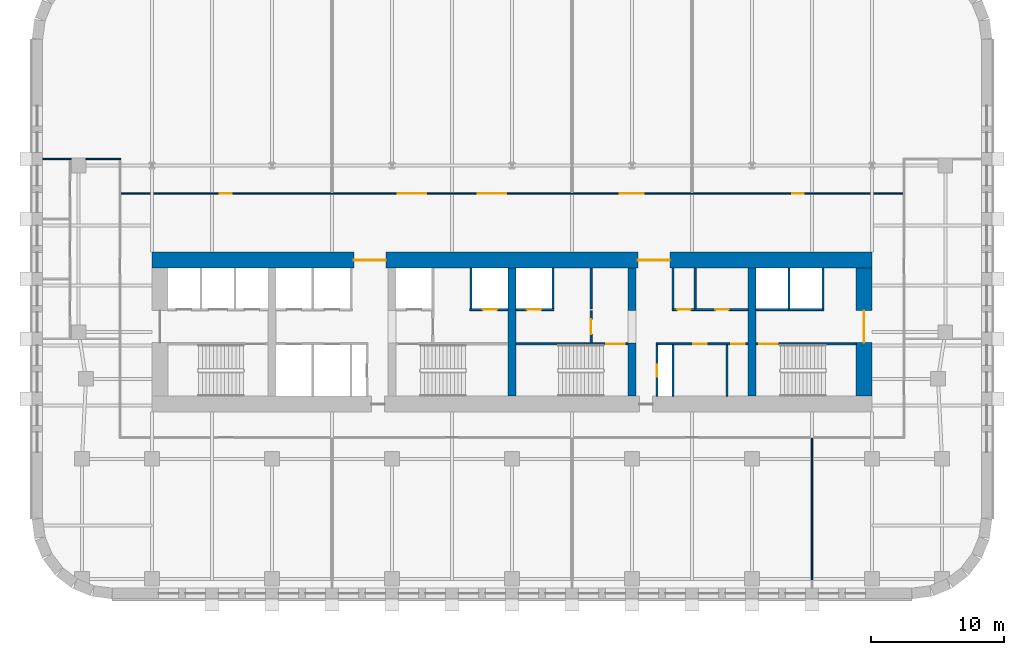
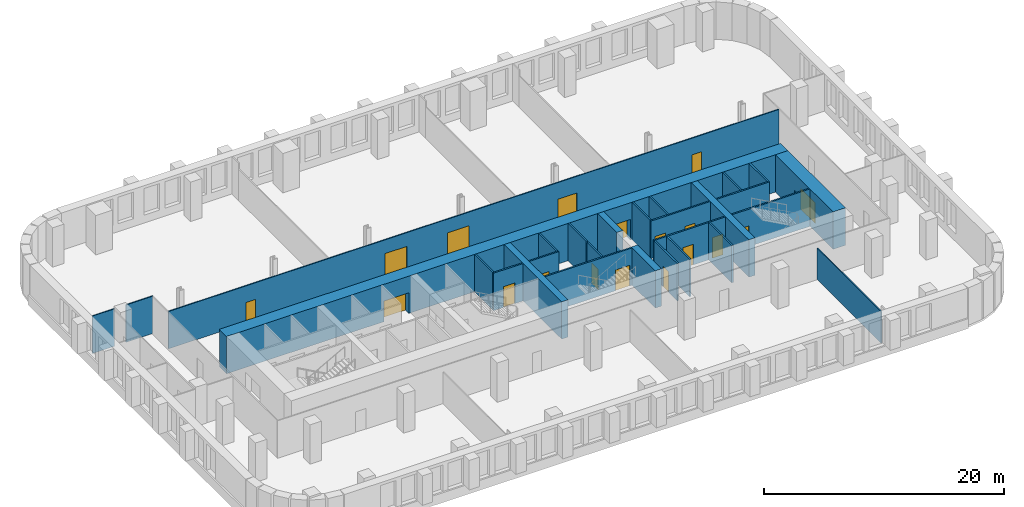
# One storey, part 6 of 11: 28 walls, 18 doors, 18 openings.
"""IFC4 building model written with IfcOpenShell, lengths in metres."""

from ifc_helpers import new_model, si_unit, direction, frame, frame_2d, origin, place, context, subcontext, project, spatial, rectangle, extrude, material, layer, layer_set, type_object, element, fill, save


model = new_model("IFC4")

# Units and contexts
model_context = context("Model", 3, precision=1e-05, world=origin(), true_north=direction((0.0, 1.0)))
body_context = subcontext(model_context, "Body", "Model", "MODEL_VIEW")
ifc_project = project(units=[si_unit("LENGTHUNIT", "METRE"), si_unit("AREAUNIT", "SQUARE_METRE"), si_unit("VOLUMEUNIT", "CUBIC_METRE"), si_unit("PLANEANGLEUNIT", "RADIAN"), si_unit("MASSUNIT", "GRAM", prefix="KILO")], contexts=[model_context])

# Site, building, storey
site_placement = place(None, origin())
site = spatial("IfcSite", under=ifc_project, at=site_placement, CompositionType="ELEMENT")
building_placement = place(site_placement, origin())
building = spatial("IfcBuilding", under=site, at=building_placement, Name="Zellij Exchange Tower", CompositionType="ELEMENT")
storey_placement = place(building_placement, frame((0.0, 0.0, 72.5)))
storey = spatial("IfcBuildingStorey", under=building, at=storey_placement, Name="L14", CompositionType="ELEMENT", Elevation=72.5)

# Walls
ifc_material_1 = material(Name="Concrete C70/85", Category="concrete")
ifc_layer_1 = layer(ifc_material_1, 0.60009765625)
ifc_layer_set_1 = layer_set([ifc_layer_1], Name="Concrete C70/85")
wall_type_1 = type_object("IfcWallType", Name="CORE-CW 600 C70/85", PredefinedType="SHEAR", material=ifc_layer_set_1)
wall_1_placement = place(storey_placement, frame((0.0, -12.800048828125, 0.0), z_axis=(0.0, 0.0, 1.0), x_axis=(0.0, 1.0, 0.0)))
element("IfcWall", 1, at=wall_1_placement, inside=storey, type_object=wall_type_1, Name="Core cross wall x 0 L14", PredefinedType="SHEAR", context=body_context, shape_type="SweptSolid", body=[
    extrude(rectangle(XDim=9.60009765625, YDim=0.60009765625, at=frame_2d((4.800048828125, 0.0))), origin(), (0.0, 0.0, 1.0), 3.800048828125),
])
wall_2_placement = place(storey_placement, frame((9.0, -12.800048828125, 0.0), z_axis=(0.0, 0.0, 1.0), x_axis=(0.0, 1.0, 0.0)))
element("IfcWall", 2, at=wall_2_placement, inside=storey, type_object=wall_type_1, Name="Core cross wall pier x 9 a L14", PredefinedType="SHEAR", context=body_context, shape_type="SweptSolid", body=[
    extrude(rectangle(XDim=4.0, YDim=0.60009765625, at=frame_2d((2.0, 0.0))), origin(), (0.0, 0.0, 1.0), 3.800048828125),
])
wall_3_placement = place(storey_placement, frame((9.0, -6.375, 0.0), z_axis=(0.0, 0.0, 1.0), x_axis=(0.0, 1.0, 0.0)))
element("IfcWall", 3, at=wall_3_placement, inside=storey, type_object=wall_type_1, Name="Core cross wall pier x 9 b L14", PredefinedType="SHEAR", context=body_context, shape_type="SweptSolid", body=[
    extrude(rectangle(XDim=3.175048828125, YDim=0.60009765625, at=frame_2d((1.58740234375, 0.0))), origin(), (0.0, 0.0, 1.0), 3.800048828125),
])
wall_4_placement = place(storey_placement, frame((18.0, -12.800048828125, 0.0), z_axis=(0.0, 0.0, 1.0), x_axis=(0.0, 1.0, 0.0)))
element("IfcWall", 4, at=wall_4_placement, inside=storey, type_object=wall_type_1, Name="Core cross wall x 18 L14", PredefinedType="SHEAR", context=body_context, shape_type="SweptSolid", body=[
    extrude(rectangle(XDim=9.60009765625, YDim=0.60009765625, at=frame_2d((4.800048828125, 0.0))), origin(), (0.0, 0.0, 1.0), 3.800048828125),
])

# Wall, opening, door
ifc_material_2 = material(Name="Gypsum shaft wall system")
ifc_layer_2 = layer(ifc_material_2, 0.14990234375)
ifc_layer_set_2 = layer_set([ifc_layer_2], Name="Gypsum shaft wall system")
wall_type_2 = type_object("IfcWallType", Name="CORE-PW 150 Firefighting lobby wall", PredefinedType="PARTITIONING", material=ifc_layer_set_2)
wall_5_placement = place(storey_placement, frame((5.925048828125, -8.800048828125, 0.0), z_axis=(0.0, 0.0, 1.0), x_axis=(0.0, 1.0, 0.0)))
wall_5 = element("IfcWall", 5, at=wall_5_placement, inside=storey, type_object=wall_type_2, Name="Firefighting lobby wall L14", PredefinedType="PARTITIONING", context=body_context, shape_type="SweptSolid", body=[
    extrude(rectangle(XDim=2.425048828125, YDim=0.14990234375, at=frame_2d((1.21240234375, 0.0))), origin(), (0.0, 0.0, 1.0), 3.800048828125),
])
opening_1_placement = place(wall_5_placement, frame((0.662109375, 0.0, 0.0)))
opening_1 = element("IfcOpeningElement", 6, at=opening_1_placement, cuts=wall_5, Name="Opening CA-08.18", PredefinedType="OPENING", context=body_context, shape_type="SweptSolid", body=[
    extrude(rectangle(XDim=1.10009765625, YDim=2.10009765625, at=frame_2d((0.550048828125, 1.050048828125))), frame((0.0, 0.0869140625, 0.0), z_axis=(0.0, -1.0, 0.0), x_axis=(1.0, 0.0, 0.0)), (0.0, 0.0, 1.0), 0.173828125),
])
ifc_material_3 = material(Name="Hollow metal fire door")
door_type_1 = type_object("IfcDoorType", Name="CORE-D F Firefighting lobby door 1100x2100 1 HR", OperationType="NOTDEFINED", PredefinedType="DOOR", material=ifc_material_3)
door_1_placement = place(opening_1_placement, origin())
door_1 = element("IfcDoor", 7, at=door_1_placement, inside=storey, type_object=door_type_1, Name="Firefighting lobby door CA-08.18", OperationType="SINGLE_SWING_RIGHT", OverallHeight=2.10009765625, OverallWidth=1.10009765625, PredefinedType="DOOR", context=body_context, shape_type="SweptSolid", body=[
    extrude(rectangle(XDim=1.10009765625, YDim=2.10009765625, at=frame_2d((0.550048828125, 1.050048828125))), frame((0.0, 0.02490234375, 0.0), z_axis=(0.0, -1.0, 0.0), x_axis=(1.0, 0.0, 0.0)), (0.0, 0.0, 1.0), 0.050048828125),
])
fill(opening_1, door_1)

# Walls
ifc_material_4 = material(Name="Gypsum board partition")
ifc_layer_3 = layer(ifc_material_4, 0.14990234375)
ifc_layer_set_3 = layer_set([ifc_layer_3], Name="Gypsum board partition")
wall_type_3 = type_object("IfcWallType", Name="CORE-PW 150 Lift lobby wall", PredefinedType="PARTITIONING", material=ifc_layer_set_3)
for number, where, z_axis, x_axis, name in (
    (8, (5.925048828125, -6.22509765625, 0.0), (0.0, 0.0, 1.0), (0.0, 1.0, 0.0), "Lift lobby wall L14"),
    (9, (12.074951171875, -6.22509765625, 0.0), (0.0, 0.0, 1.0), (0.0, 1.0, 0.0), "Lift lobby wall L14"),
    (10, (13.72509765625, -6.22509765625, 0.0), (0.0, 0.0, 1.0), (0.0, 1.0, 0.0), "Lift lobby wall L14"),
):
    element("IfcWall", number, at=place(storey_placement, frame(where, z_axis=z_axis, x_axis=x_axis)), inside=storey, type_object=wall_type_3, Name=name, PredefinedType="PARTITIONING", context=body_context, shape_type="SweptSolid", body=[
        extrude(rectangle(XDim=3.025146484375, YDim=0.14990234375, at=frame_2d((1.5126953125, 0.0))), origin(), (0.0, 0.0, 1.0), 3.800048828125),
    ])

# Wall, opening, door
wall_6_placement = place(storey_placement, frame((10.875, -12.800048828125, 0.0), z_axis=(0.0, 0.0, 1.0), x_axis=(0.0, 1.0, 0.0)))
wall_6 = element("IfcWall", 11, at=wall_6_placement, inside=storey, type_object=wall_type_3, Name="Lift lobby wall L14", PredefinedType="PARTITIONING", context=body_context, shape_type="SweptSolid", body=[
    extrude(rectangle(XDim=3.85009765625, YDim=0.14990234375, at=frame_2d((1.925048828125, 0.0))), origin(), (0.0, 0.0, 1.0), 3.800048828125),
])
opening_2_placement = place(wall_6_placement, frame((1.47509765625, 0.0, 0.0)))
opening_2 = element("IfcOpeningElement", 12, at=opening_2_placement, cuts=wall_6, Name="Opening CA-08.22", PredefinedType="OPENING", context=body_context, shape_type="SweptSolid", body=[
    extrude(rectangle(XDim=0.89990234375, YDim=2.10009765625, at=frame_2d((0.449951171875, 1.050048828125))), frame((0.0, 0.0869140625, 0.0), z_axis=(0.0, -1.0, 0.0), x_axis=(1.0, 0.0, 0.0)), (0.0, 0.0, 1.0), 0.173828125),
])
door_type_2 = type_object("IfcDoorType", Name="CORE-D RD Riser door 900x2100 1.5 HR", OperationType="NOTDEFINED", PredefinedType="DOOR", material=ifc_material_3)
door_2_placement = place(opening_2_placement, origin())
door_2 = element("IfcDoor", 13, at=door_2_placement, inside=storey, type_object=door_type_2, Name="Riser door CA-08.22", OperationType="SINGLE_SWING_LEFT", OverallHeight=2.10009765625, OverallWidth=0.89990234375, PredefinedType="DOOR", context=body_context, shape_type="SweptSolid", body=[
    extrude(rectangle(XDim=0.89990234375, YDim=2.10009765625, at=frame_2d((0.449951171875, 1.050048828125))), frame((0.0, 0.02490234375, 0.0), z_axis=(0.0, -1.0, 0.0), x_axis=(1.0, 0.0, 0.0)), (0.0, 0.0, 1.0), 0.050048828125),
])
fill(opening_2, door_2)

# Walls
for number, where, z_axis, x_axis, name in (
    (14, (12.074951171875, -12.800048828125, 0.0), (0.0, 0.0, 1.0), (0.0, 1.0, 0.0), "Lift lobby wall L14"),
    (15, (16.125, -12.800048828125, 0.0), (0.0, 0.0, 1.0), (0.0, 1.0, 0.0), "Lift lobby wall L14"),
):
    element("IfcWall", number, at=place(storey_placement, frame(where, z_axis=z_axis, x_axis=x_axis)), inside=storey, type_object=wall_type_3, Name=name, PredefinedType="PARTITIONING", context=body_context, shape_type="SweptSolid", body=[
        extrude(rectangle(XDim=3.85009765625, YDim=0.14990234375, at=frame_2d((1.925048828125, 0.0))), origin(), (0.0, 0.0, 1.0), 3.800048828125),
    ])

# Wall, openings, doors
wall_7_placement = place(storey_placement, frame((12.0, -6.300048828125, 0.0), z_axis=(0.0, 0.0, 1.0), x_axis=(1.0, 0.0, 0.0)))
wall_7 = element("IfcWall", 16, at=wall_7_placement, inside=storey, type_object=wall_type_3, Name="Lift lobby wall L14", PredefinedType="PARTITIONING", context=body_context, shape_type="SweptSolid", body=[
    extrude(rectangle(XDim=5.699951171875, YDim=0.14990234375, at=frame_2d((2.85009765625, 0.0))), origin(), (0.0, 0.0, 1.0), 3.800048828125),
])
opening_3_placement = place(wall_7_placement, frame((0.39990234375, 0.0, 0.0)))
opening_3 = element("IfcOpeningElement", 17, at=opening_3_placement, cuts=wall_7, Name="Opening CA-08.23", PredefinedType="OPENING", context=body_context, shape_type="SweptSolid", body=[
    extrude(rectangle(XDim=1.0, YDim=2.10009765625, at=frame_2d((0.5, 1.050048828125))), frame((0.0, 0.0869140625, 0.0), z_axis=(0.0, -1.0, 0.0), x_axis=(1.0, 0.0, 0.0)), (0.0, 0.0, 1.0), 0.173828125),
])
opening_4_placement = place(wall_7_placement, frame((3.25, 0.0, 0.0)))
opening_4 = element("IfcOpeningElement", 18, at=opening_4_placement, cuts=wall_7, Name="Opening CA-08.25", PredefinedType="OPENING", context=body_context, shape_type="SweptSolid", body=[
    extrude(rectangle(XDim=1.0, YDim=2.10009765625, at=frame_2d((0.5, 1.050048828125))), frame((0.0, 0.0869140625, 0.0), z_axis=(0.0, -1.0, 0.0), x_axis=(1.0, 0.0, 0.0)), (0.0, 0.0, 1.0), 0.173828125),
])
door_type_3 = type_object("IfcDoorType", Name="CORE-D CD Core room door 1000x2100 1 HR", OperationType="NOTDEFINED", PredefinedType="DOOR", material=ifc_material_3)
door_3_placement = place(opening_3_placement, origin())
door_3 = element("IfcDoor", 19, at=door_3_placement, inside=storey, type_object=door_type_3, Name="Core room door CA-08.23", OperationType="SINGLE_SWING_LEFT", OverallHeight=2.10009765625, OverallWidth=1.0, PredefinedType="DOOR", context=body_context, shape_type="SweptSolid", body=[
    extrude(rectangle(XDim=1.0, YDim=2.10009765625, at=frame_2d((0.5, 1.050048828125))), frame((0.0, 0.02490234375, 0.0), z_axis=(0.0, -1.0, 0.0), x_axis=(1.0, 0.0, 0.0)), (0.0, 0.0, 1.0), 0.050048828125),
])
fill(opening_3, door_3)
door_4_placement = place(opening_4_placement, origin())
door_4 = element("IfcDoor", 20, at=door_4_placement, inside=storey, type_object=door_type_3, Name="Core room door CA-08.25", OperationType="SINGLE_SWING_RIGHT", OverallHeight=2.10009765625, OverallWidth=1.0, PredefinedType="DOOR", context=body_context, shape_type="SweptSolid", body=[
    extrude(rectangle(XDim=1.0, YDim=2.10009765625, at=frame_2d((0.5, 1.050048828125))), frame((0.0, 0.02490234375, 0.0), z_axis=(0.0, -1.0, 0.0), x_axis=(1.0, 0.0, 0.0)), (0.0, 0.0, 1.0), 0.050048828125),
])
fill(opening_4, door_4)

wall_8_placement = place(storey_placement, frame((10.800048828125, -8.875, 0.0), z_axis=(0.0, 0.0, 1.0), x_axis=(1.0, 0.0, 0.0)))
wall_8 = element("IfcWall", 21, at=wall_8_placement, inside=storey, type_object=wall_type_3, Name="Lift lobby wall L14", PredefinedType="PARTITIONING", context=body_context, shape_type="SweptSolid", body=[
    extrude(rectangle(XDim=6.89990234375, YDim=0.14990234375, at=frame_2d((3.449951171875, 0.0))), origin(), (0.0, 0.0, 1.0), 3.800048828125),
])
opening_5_placement = place(wall_8_placement, frame((2.800048828125, 0.0, 0.0)))
opening_5 = element("IfcOpeningElement", 22, at=opening_5_placement, cuts=wall_8, Name="Opening CA-08.24", PredefinedType="OPENING", context=body_context, shape_type="SweptSolid", body=[
    extrude(rectangle(XDim=1.0, YDim=2.10009765625, at=frame_2d((0.5, 1.050048828125))), frame((0.0, 0.0869140625, 0.0), z_axis=(0.0, -1.0, 0.0), x_axis=(1.0, 0.0, 0.0)), (0.0, 0.0, 1.0), 0.173828125),
])
opening_6_placement = place(wall_8_placement, frame((5.64990234375, 0.0, 0.0)))
opening_6 = element("IfcOpeningElement", 23, at=opening_6_placement, cuts=wall_8, Name="Opening CA-08.26", PredefinedType="OPENING", context=body_context, shape_type="SweptSolid", body=[
    extrude(rectangle(XDim=1.0, YDim=2.10009765625, at=frame_2d((0.5, 1.050048828125))), frame((0.0, 0.0869140625, 0.0), z_axis=(0.0, -1.0, 0.0), x_axis=(1.0, 0.0, 0.0)), (0.0, 0.0, 1.0), 0.173828125),
])
door_5_placement = place(opening_5_placement, origin())
door_5 = element("IfcDoor", 24, at=door_5_placement, inside=storey, type_object=door_type_3, Name="Core room door CA-08.24", OperationType="SINGLE_SWING_RIGHT", OverallHeight=2.10009765625, OverallWidth=1.0, PredefinedType="DOOR", context=body_context, shape_type="SweptSolid", body=[
    extrude(rectangle(XDim=1.0, YDim=2.10009765625, at=frame_2d((0.5, 1.050048828125))), frame((0.0, 0.02490234375, 0.0), z_axis=(0.0, -1.0, 0.0), x_axis=(1.0, 0.0, 0.0)), (0.0, 0.0, 1.0), 0.050048828125),
])
fill(opening_5, door_5)
door_6_placement = place(opening_6_placement, origin())
door_6 = element("IfcDoor", 25, at=door_6_placement, inside=storey, type_object=door_type_3, Name="Core room door CA-08.26", OperationType="SINGLE_SWING_LEFT", OverallHeight=2.10009765625, OverallWidth=1.0, PredefinedType="DOOR", context=body_context, shape_type="SweptSolid", body=[
    extrude(rectangle(XDim=1.0, YDim=2.10009765625, at=frame_2d((0.5, 1.050048828125))), frame((0.0, 0.02490234375, 0.0), z_axis=(0.0, -1.0, 0.0), x_axis=(1.0, 0.0, 0.0)), (0.0, 0.0, 1.0), 0.050048828125),
])
fill(opening_6, door_6)

# Walls
ifc_layer_4 = layer(ifc_material_2, 0.14990234375)
ifc_layer_set_4 = layer_set([ifc_layer_4], Name="Gypsum shaft wall system")
wall_type_4 = type_object("IfcWallType", Name="CORE-PW 150 Lift shaft wall", PredefinedType="PARTITIONING", material=ifc_layer_set_4)
for number, where, z_axis, x_axis, name in (
    (26, (-3.074951171875, -6.22509765625, 0.0), (0.0, 0.0, 1.0), (0.0, 1.0, 0.0), "Lift shaft wall L14"),
    (27, (3.074951171875, -6.22509765625, 0.0), (0.0, 0.0, 1.0), (0.0, 1.0, 0.0), "Lift shaft wall L14"),
    (28, (20.77490234375, -6.22509765625, 0.0), (0.0, 0.0, 1.0), (0.0, 1.0, 0.0), "Lift shaft wall L14"),
    (29, (23.324951171875, -6.22509765625, 0.0), (0.0, 0.0, 1.0), (0.0, 1.0, 0.0), "Lift shaft wall L14"),
):
    element("IfcWall", number, at=place(storey_placement, frame(where, z_axis=z_axis, x_axis=x_axis)), inside=storey, type_object=wall_type_4, Name=name, PredefinedType="PARTITIONING", context=body_context, shape_type="SweptSolid", body=[
        extrude(rectangle(XDim=3.025146484375, YDim=0.14990234375, at=frame_2d((1.5126953125, 0.0))), origin(), (0.0, 0.0, 1.0), 3.800048828125),
    ])

# Wall, opening, door
wall_9_placement = place(storey_placement, frame((-3.14990234375, -6.300048828125, 0.0), z_axis=(0.0, 0.0, 1.0), x_axis=(1.0, 0.0, 0.0)))
wall_9 = element("IfcWall", 30, at=wall_9_placement, inside=storey, type_object=wall_type_4, Name="Lift shaft wall L14", PredefinedType="PARTITIONING", context=body_context, shape_type="SweptSolid", body=[
    extrude(rectangle(XDim=2.849853515625, YDim=0.14990234375, at=frame_2d((1.4248046875, 0.0))), origin(), (0.0, 0.0, 1.0), 3.800048828125),
])
opening_7_placement = place(wall_9_placement, frame((0.949951171875, 0.0, 0.0)))
opening_7 = element("IfcOpeningElement", 31, at=opening_7_placement, cuts=wall_9, Name="Opening CA-08.16", PredefinedType="OPENING", context=body_context, shape_type="SweptSolid", body=[
    extrude(rectangle(XDim=1.10009765625, YDim=2.10009765625, at=frame_2d((0.550048828125, 1.050048828125))), frame((0.0, 0.0869140625, 0.0), z_axis=(0.0, -1.0, 0.0), x_axis=(1.0, 0.0, 0.0)), (0.0, 0.0, 1.0), 0.173828125),
])
door_type_4 = type_object("IfcDoorType", Name="CORE-D LD Lift landing door 1100x2100 1.5 HR", OperationType="NOTDEFINED", PredefinedType="DOOR", material=ifc_material_3)
door_7_placement = place(opening_7_placement, origin())
door_7 = element("IfcDoor", 32, at=door_7_placement, inside=storey, type_object=door_type_4, Name="Lift landing door CA-08.16", OperationType="SLIDING_TO_RIGHT", OverallHeight=2.10009765625, OverallWidth=1.10009765625, PredefinedType="DOOR", context=body_context, shape_type="SweptSolid", body=[
    extrude(rectangle(XDim=1.10009765625, YDim=2.10009765625, at=frame_2d((0.550048828125, 1.050048828125))), frame((0.0, 0.02490234375, 0.0), z_axis=(0.0, -1.0, 0.0), x_axis=(1.0, 0.0, 0.0)), (0.0, 0.0, 1.0), 0.050048828125),
])
fill(opening_7, door_7)

wall_10_placement = place(storey_placement, frame((0.300048828125, -6.300048828125, 0.0), z_axis=(0.0, 0.0, 1.0), x_axis=(1.0, 0.0, 0.0)))
wall_10 = element("IfcWall", 33, at=wall_10_placement, inside=storey, type_object=wall_type_4, Name="Lift shaft wall L14", PredefinedType="PARTITIONING", context=body_context, shape_type="SweptSolid", body=[
    extrude(rectangle(XDim=2.849853515625, YDim=0.14990234375, at=frame_2d((1.4248046875, 0.0))), origin(), (0.0, 0.0, 1.0), 3.800048828125),
])
opening_8_placement = place(wall_10_placement, frame((0.800048828125, 0.0, 0.0)))
opening_8 = element("IfcOpeningElement", 34, at=opening_8_placement, cuts=wall_10, Name="Opening CA-08.17", PredefinedType="OPENING", context=body_context, shape_type="SweptSolid", body=[
    extrude(rectangle(XDim=1.10009765625, YDim=2.10009765625, at=frame_2d((0.550048828125, 1.050048828125))), frame((0.0, 0.0869140625, 0.0), z_axis=(0.0, -1.0, 0.0), x_axis=(1.0, 0.0, 0.0)), (0.0, 0.0, 1.0), 0.173828125),
])
door_8_placement = place(opening_8_placement, origin())
door_8 = element("IfcDoor", 35, at=door_8_placement, inside=storey, type_object=door_type_4, Name="Lift landing door CA-08.17", OperationType="SLIDING_TO_LEFT", OverallHeight=2.10009765625, OverallWidth=1.10009765625, PredefinedType="DOOR", context=body_context, shape_type="SweptSolid", body=[
    extrude(rectangle(XDim=1.10009765625, YDim=2.10009765625, at=frame_2d((0.550048828125, 1.050048828125))), frame((0.0, 0.02490234375, 0.0), z_axis=(0.0, -1.0, 0.0), x_axis=(1.0, 0.0, 0.0)), (0.0, 0.0, 1.0), 0.050048828125),
])
fill(opening_8, door_8)

# Wall
wall_11_placement = place(storey_placement, frame((18.300048828125, -6.300048828125, 0.0), z_axis=(0.0, 0.0, 1.0), x_axis=(1.0, 0.0, 0.0)))
element("IfcWall", 36, at=wall_11_placement, inside=storey, type_object=wall_type_4, Name="Lift shaft wall L14", PredefinedType="PARTITIONING", context=body_context, shape_type="SweptSolid", body=[
    extrude(rectangle(XDim=5.099853515625, YDim=0.14990234375, at=frame_2d((2.5498046875, 0.0))), origin(), (0.0, 0.0, 1.0), 3.800048828125),
])

# Wall, openings, doors
ifc_layer_5 = layer(ifc_material_1, 1.199951171875)
ifc_layer_set_5 = layer_set([ifc_layer_5], Name="Concrete C70/85")
wall_type_5 = type_object("IfcWallType", Name="CORE-SW 1200 C70/85", PredefinedType="SHEAR", material=ifc_layer_set_5)
wall_12_placement = place(storey_placement, frame((-27.0, -2.60009765625, 0.0), z_axis=(0.0, 0.0, 1.0), x_axis=(1.0, 0.0, 0.0)))
wall_12 = element("IfcWall", 37, at=wall_12_placement, inside=storey, type_object=wall_type_5, Name="Core shear wall front L14", PredefinedType="SHEAR", context=body_context, shape_type="SweptSolid", body=[
    extrude(rectangle(XDim=54.0, YDim=1.199951171875, at=frame_2d((27.0, 0.0))), origin(), (0.0, 0.0, 1.0), 3.800048828125),
])
opening_9_placement = place(wall_12_placement, frame((15.14990234375, 0.0, 0.0)))
opening_9 = element("IfcOpeningElement", 38, at=opening_9_placement, cuts=wall_12, Name="Opening CA-08.11", PredefinedType="OPENING", context=body_context, shape_type="SweptSolid", body=[
    extrude(rectangle(XDim=2.39990234375, YDim=2.10009765625, at=frame_2d((1.199951171875, 1.050048828125))), frame((0.0, 0.61181640625, 0.0), z_axis=(0.0, -1.0, 0.0), x_axis=(1.0, 0.0, 0.0)), (0.0, 0.0, 1.0), 1.223876953125),
])
opening_10_placement = place(wall_12_placement, frame((36.449951171875, 0.0, 0.0)))
opening_10 = element("IfcOpeningElement", 39, at=opening_10_placement, cuts=wall_12, Name="Opening CA-08.21", PredefinedType="OPENING", context=body_context, shape_type="SweptSolid", body=[
    extrude(rectangle(XDim=2.39990234375, YDim=2.10009765625, at=frame_2d((1.199951171875, 1.050048828125))), frame((0.0, 0.61181640625, 0.0), z_axis=(0.0, -1.0, 0.0), x_axis=(1.0, 0.0, 0.0)), (0.0, 0.0, 1.0), 1.223876953125),
])
door_type_5 = type_object("IfcDoorType", Name="CORE-D CE Core entrance door 2400x2100 20 MIN", OperationType="NOTDEFINED", PredefinedType="DOOR", material=ifc_material_3)
door_9_placement = place(opening_9_placement, origin())
door_9 = element("IfcDoor", 40, at=door_9_placement, inside=storey, type_object=door_type_5, Name="Core entrance door CA-08.11", OperationType="DOUBLE_DOOR_SINGLE_SWING", OverallHeight=2.10009765625, OverallWidth=2.39990234375, PredefinedType="DOOR", context=body_context, shape_type="SweptSolid", body=[
    extrude(rectangle(XDim=2.39990234375, YDim=2.10009765625, at=frame_2d((1.199951171875, 1.050048828125))), frame((0.0, 0.02490234375, 0.0), z_axis=(0.0, -1.0, 0.0), x_axis=(1.0, 0.0, 0.0)), (0.0, 0.0, 1.0), 0.050048828125),
])
fill(opening_9, door_9)
door_10_placement = place(opening_10_placement, origin())
door_10 = element("IfcDoor", 41, at=door_10_placement, inside=storey, type_object=door_type_5, Name="Core entrance door CA-08.21", OperationType="DOUBLE_DOOR_SINGLE_SWING", OverallHeight=2.10009765625, OverallWidth=2.39990234375, PredefinedType="DOOR", context=body_context, shape_type="SweptSolid", body=[
    extrude(rectangle(XDim=2.39990234375, YDim=2.10009765625, at=frame_2d((1.199951171875, 1.050048828125))), frame((0.0, 0.02490234375, 0.0), z_axis=(0.0, -1.0, 0.0), x_axis=(1.0, 0.0, 0.0)), (0.0, 0.0, 1.0), 0.050048828125),
])
fill(opening_10, door_10)

# Wall, opening, door
wall_13_placement = place(storey_placement, frame((26.39990234375, -12.800048828125, 0.0), z_axis=(0.0, 0.0, 1.0), x_axis=(0.0, 1.0, 0.0)))
wall_13 = element("IfcWall", 42, at=wall_13_placement, inside=storey, type_object=wall_type_5, Name="Core shear wall end e L14", PredefinedType="SHEAR", context=body_context, shape_type="SweptSolid", body=[
    extrude(rectangle(XDim=9.60009765625, YDim=1.199951171875, at=frame_2d((4.800048828125, 0.0))), origin(), (0.0, 0.0, 1.0), 3.800048828125),
])
opening_11_placement = place(wall_13_placement, frame((4.011962890625, 0.0, 0.0)))
opening_11 = element("IfcOpeningElement", 43, at=opening_11_placement, cuts=wall_13, Name="Opening CA-08.28", PredefinedType="OPENING", context=body_context, shape_type="SweptSolid", body=[
    extrude(rectangle(XDim=2.39990234375, YDim=2.10009765625, at=frame_2d((1.199951171875, 1.050048828125))), frame((0.0, 0.61181640625, 0.0), z_axis=(0.0, -1.0, 0.0), x_axis=(1.0, 0.0, 0.0)), (0.0, 0.0, 1.0), 1.223876953125),
])
door_11_placement = place(opening_11_placement, origin())
door_11 = element("IfcDoor", 44, at=door_11_placement, inside=storey, type_object=door_type_5, Name="Core entrance door CA-08.28", OperationType="DOUBLE_DOOR_SINGLE_SWING", OverallHeight=2.10009765625, OverallWidth=2.39990234375, PredefinedType="DOOR", context=body_context, shape_type="SweptSolid", body=[
    extrude(rectangle(XDim=2.39990234375, YDim=2.10009765625, at=frame_2d((1.199951171875, 1.050048828125))), frame((0.0, 0.02490234375, 0.0), z_axis=(0.0, -1.0, 0.0), x_axis=(1.0, 0.0, 0.0)), (0.0, 0.0, 1.0), 0.050048828125),
])
fill(opening_11, door_11)

ifc_layer_6 = layer(ifc_material_1, 0.14990234375)
ifc_layer_set_6 = layer_set([ifc_layer_6], Name="Concrete C70/85")
wall_type_6 = type_object("IfcWallType", Name="CORE-SWS 150 C70/85", PredefinedType="SHEAR", material=ifc_layer_set_6)
wall_14_placement = place(storey_placement, frame((0.300048828125, -8.875, 0.0), z_axis=(0.0, 0.0, 1.0), x_axis=(1.0, 0.0, 0.0)))
wall_14 = element("IfcWall", 45, at=wall_14_placement, inside=storey, type_object=wall_type_6, Name="Stair enclosure wall L14", PredefinedType="SHEAR", context=body_context, shape_type="SweptSolid", body=[
    extrude(rectangle(XDim=8.39990234375, YDim=0.14990234375, at=frame_2d((4.199951171875, 0.0))), origin(), (0.0, 0.0, 1.0), 3.800048828125),
])
opening_12_placement = place(wall_14_placement, frame((6.77490234375, 0.0, 0.0)))
opening_12 = element("IfcOpeningElement", 46, at=opening_12_placement, cuts=wall_14, Name="Opening CA-08.19", PredefinedType="OPENING", context=body_context, shape_type="SweptSolid", body=[
    extrude(rectangle(XDim=1.39990234375, YDim=2.10009765625, at=frame_2d((0.699951171875, 1.050048828125))), frame((0.0, 0.0869140625, 0.0), z_axis=(0.0, -1.0, 0.0), x_axis=(1.0, 0.0, 0.0)), (0.0, 0.0, 1.0), 0.173828125),
])
door_type_6 = type_object("IfcDoorType", Name="CORE-D SD Stair door 1400x2100 1.5 HR", OperationType="NOTDEFINED", PredefinedType="DOOR", material=ifc_material_3)
door_12_placement = place(opening_12_placement, origin())
door_12 = element("IfcDoor", 47, at=door_12_placement, inside=storey, type_object=door_type_6, Name="Stair door CA-08.19", OperationType="DOUBLE_DOOR_SINGLE_SWING", OverallHeight=2.10009765625, OverallWidth=1.39990234375, PredefinedType="DOOR", context=body_context, shape_type="SweptSolid", body=[
    extrude(rectangle(XDim=1.39990234375, YDim=2.10009765625, at=frame_2d((0.699951171875, 1.050048828125))), frame((0.0, 0.02490234375, 0.0), z_axis=(0.0, -1.0, 0.0), x_axis=(1.0, 0.0, 0.0)), (0.0, 0.0, 1.0), 0.050048828125),
])
fill(opening_12, door_12)

wall_15_placement = place(storey_placement, frame((18.300048828125, -8.875, 0.0), z_axis=(0.0, 0.0, 1.0), x_axis=(1.0, 0.0, 0.0)))
wall_15 = element("IfcWall", 48, at=wall_15_placement, inside=storey, type_object=wall_type_6, Name="Stair enclosure wall L14", PredefinedType="SHEAR", context=body_context, shape_type="SweptSolid", body=[
    extrude(rectangle(XDim=7.5, YDim=0.14990234375, at=frame_2d((3.75, 0.0))), origin(), (0.0, 0.0, 1.0), 3.800048828125),
])
opening_13_placement = place(wall_15_placement, frame((0.22509765625, 0.0, 0.0)))
opening_13 = element("IfcOpeningElement", 49, at=opening_13_placement, cuts=wall_15, Name="Opening CA-08.27", PredefinedType="OPENING", context=body_context, shape_type="SweptSolid", body=[
    extrude(rectangle(XDim=1.39990234375, YDim=2.10009765625, at=frame_2d((0.699951171875, 1.050048828125))), frame((0.0, 0.0869140625, 0.0), z_axis=(0.0, -1.0, 0.0), x_axis=(1.0, 0.0, 0.0)), (0.0, 0.0, 1.0), 0.173828125),
])
door_13_placement = place(opening_13_placement, origin())
door_13 = element("IfcDoor", 50, at=door_13_placement, inside=storey, type_object=door_type_6, Name="Stair door CA-08.27", OperationType="DOUBLE_DOOR_SINGLE_SWING", OverallHeight=2.10009765625, OverallWidth=1.39990234375, PredefinedType="DOOR", context=body_context, shape_type="SweptSolid", body=[
    extrude(rectangle(XDim=1.39990234375, YDim=2.10009765625, at=frame_2d((0.699951171875, 1.050048828125))), frame((0.0, 0.02490234375, 0.0), z_axis=(0.0, -1.0, 0.0), x_axis=(1.0, 0.0, 0.0)), (0.0, 0.0, 1.0), 0.050048828125),
])
fill(opening_13, door_13)

# Wall
ifc_material_5 = material(Name="Gypsum board partition on steel studs", Category="steel")
ifc_layer_7 = layer(ifc_material_5, 0.10009765625)
ifc_layer_set_7 = layer_set([ifc_layer_7], Name="Gypsum board partition on steel studs")
wall_type_7 = type_object("IfcWallType", Name="FIT-PARTITION-100", PredefinedType="PARTITIONING", material=ifc_layer_set_7)
wall_16_placement = place(storey_placement, frame((22.5, -26.614501953125, 0.0), z_axis=(0.0, 0.0, 1.0), x_axis=(0.0, 1.0, 0.0)))
element("IfcWall", 51, at=wall_16_placement, inside=storey, type_object=wall_type_7, Name="FIT-PARTITION-100 006", PredefinedType="PARTITIONING", context=body_context, shape_type="SweptSolid", body=[
    extrude(rectangle(XDim=10.66455078125, YDim=0.10009765625, at=frame_2d((5.332275390625, 0.0))), origin(), (0.0, 0.0, 1.0), 3.197998046875),
])

# Wall, openings, doors
wall_17_placement = place(storey_placement, frame((-29.35009765625, 2.39990234375, 0.0), z_axis=(0.0, 0.0, 1.0), x_axis=(1.0, 0.0, 0.0)))
wall_17 = element("IfcWall", 52, at=wall_17_placement, inside=storey, type_object=wall_type_7, Name="FIT-PARTITION-100 017", PredefinedType="PARTITIONING", context=body_context, shape_type="SweptSolid", body=[
    extrude(rectangle(XDim=58.7001953125, YDim=0.10009765625, at=frame_2d((29.35009765625, 0.0))), origin(), (0.0, 0.0, 1.0), 3.800048828125),
])
opening_14_placement = place(wall_17_placement, frame((7.449951171875, 0.0, 0.0)))
opening_14 = element("IfcOpeningElement", 53, at=opening_14_placement, cuts=wall_17, Name="Opening TB.09", PredefinedType="OPENING", context=body_context, shape_type="SweptSolid", body=[
    extrude(rectangle(XDim=0.89990234375, YDim=2.10009765625, at=frame_2d((0.449951171875, 1.050048828125))), frame((0.0, 0.06201171875, 0.0), z_axis=(0.0, -1.0, 0.0), x_axis=(1.0, 0.0, 0.0)), (0.0, 0.0, 1.0), 0.1240234375),
])
opening_15_placement = place(wall_17_placement, frame((20.800048828125, 0.0, 0.0)))
opening_15 = element("IfcOpeningElement", 54, at=opening_15_placement, cuts=wall_17, Name="Opening TB.10", PredefinedType="OPENING", context=body_context, shape_type="SweptSolid", body=[
    extrude(rectangle(XDim=2.10009765625, YDim=2.39990234375, at=frame_2d((1.050048828125, 1.199951171875))), frame((0.0, 0.06201171875, 0.0), z_axis=(0.0, -1.0, 0.0), x_axis=(1.0, 0.0, 0.0)), (0.0, 0.0, 1.0), 0.1240234375),
])
opening_16_placement = place(wall_17_placement, frame((26.800048828125, 0.0, 0.0)))
opening_16 = element("IfcOpeningElement", 55, at=opening_16_placement, cuts=wall_17, Name="Opening TB.11", PredefinedType="OPENING", context=body_context, shape_type="SweptSolid", body=[
    extrude(rectangle(XDim=2.10009765625, YDim=2.39990234375, at=frame_2d((1.050048828125, 1.199951171875))), frame((0.0, 0.06201171875, 0.0), z_axis=(0.0, -1.0, 0.0), x_axis=(1.0, 0.0, 0.0)), (0.0, 0.0, 1.0), 0.1240234375),
])
opening_17_placement = place(wall_17_placement, frame((37.449951171875, 0.0, 0.0)))
opening_17 = element("IfcOpeningElement", 56, at=opening_17_placement, cuts=wall_17, Name="Opening TB.12", PredefinedType="OPENING", context=body_context, shape_type="SweptSolid", body=[
    extrude(rectangle(XDim=1.800048828125, YDim=2.10009765625, at=frame_2d((0.89990234375, 1.050048828125))), frame((0.0, 0.06201171875, 0.0), z_axis=(0.0, -1.0, 0.0), x_axis=(1.0, 0.0, 0.0)), (0.0, 0.0, 1.0), 0.1240234375),
])
opening_18_placement = place(wall_17_placement, frame((50.35009765625, 0.0, 0.0)))
opening_18 = element("IfcOpeningElement", 57, at=opening_18_placement, cuts=wall_17, Name="Opening TB.13", PredefinedType="OPENING", context=body_context, shape_type="SweptSolid", body=[
    extrude(rectangle(XDim=0.89990234375, YDim=2.10009765625, at=frame_2d((0.449951171875, 1.050048828125))), frame((0.0, 0.06201171875, 0.0), z_axis=(0.0, -1.0, 0.0), x_axis=(1.0, 0.0, 0.0)), (0.0, 0.0, 1.0), 0.1240234375),
])
ifc_material_6 = material(Name="Timber door set", Category="wood")
door_type_7 = type_object("IfcDoorType", Name="FIT-D1-ROOM-900X2100", OperationType="SINGLE_SWING_LEFT", PredefinedType="DOOR", material=ifc_material_6)
door_14_placement = place(opening_14_placement, origin())
door_14 = element("IfcDoor", 58, at=door_14_placement, inside=storey, type_object=door_type_7, Name="Door TB.09", OperationType="SINGLE_SWING_RIGHT", OverallHeight=2.10009765625, OverallWidth=0.89990234375, PredefinedType="DOOR", context=body_context, shape_type="SweptSolid", body=[
    extrude(rectangle(XDim=0.89990234375, YDim=2.10009765625, at=frame_2d((0.449951171875, 1.050048828125))), frame((0.0, 0.02490234375, 0.0), z_axis=(0.0, -1.0, 0.0), x_axis=(1.0, 0.0, 0.0)), (0.0, 0.0, 1.0), 0.050048828125),
])
fill(opening_14, door_14)
door_15_placement = place(opening_18_placement, origin())
door_15 = element("IfcDoor", 59, at=door_15_placement, inside=storey, type_object=door_type_7, Name="Door TB.13", OperationType="SINGLE_SWING_RIGHT", OverallHeight=2.10009765625, OverallWidth=0.89990234375, PredefinedType="DOOR", context=body_context, shape_type="SweptSolid", body=[
    extrude(rectangle(XDim=0.89990234375, YDim=2.10009765625, at=frame_2d((0.449951171875, 1.050048828125))), frame((0.0, 0.02490234375, 0.0), z_axis=(0.0, -1.0, 0.0), x_axis=(1.0, 0.0, 0.0)), (0.0, 0.0, 1.0), 0.050048828125),
])
fill(opening_18, door_15)
door_type_8 = type_object("IfcDoorType", Name="FIT-D3-DOUBLE-1800X2100", OperationType="DOUBLE_DOOR_SINGLE_SWING", PredefinedType="DOOR", material=ifc_material_6)
door_16_placement = place(opening_17_placement, origin())
door_16 = element("IfcDoor", 60, at=door_16_placement, inside=storey, type_object=door_type_8, Name="Door TB.12", OperationType="DOUBLE_DOOR_SINGLE_SWING", OverallHeight=2.10009765625, OverallWidth=1.800048828125, PredefinedType="DOOR", context=body_context, shape_type="SweptSolid", body=[
    extrude(rectangle(XDim=1.800048828125, YDim=2.10009765625, at=frame_2d((0.89990234375, 1.050048828125))), frame((0.0, 0.02490234375, 0.0), z_axis=(0.0, -1.0, 0.0), x_axis=(1.0, 0.0, 0.0)), (0.0, 0.0, 1.0), 0.050048828125),
])
fill(opening_17, door_16)
door_type_9 = type_object("IfcDoorType", Name="FIT-D7-ASSEMBLY-2100X2400", OperationType="DOUBLE_DOOR_SINGLE_SWING", PredefinedType="DOOR", material=ifc_material_6)
door_17_placement = place(opening_15_placement, origin())
door_17 = element("IfcDoor", 61, at=door_17_placement, inside=storey, type_object=door_type_9, Name="Door TB.10", OperationType="DOUBLE_DOOR_SINGLE_SWING", OverallHeight=2.39990234375, OverallWidth=2.10009765625, PredefinedType="DOOR", context=body_context, shape_type="SweptSolid", body=[
    extrude(rectangle(XDim=2.10009765625, YDim=2.39990234375, at=frame_2d((1.050048828125, 1.199951171875))), frame((0.0, 0.02490234375, 0.0), z_axis=(0.0, -1.0, 0.0), x_axis=(1.0, 0.0, 0.0)), (0.0, 0.0, 1.0), 0.050048828125),
])
fill(opening_15, door_17)
door_18_placement = place(opening_16_placement, origin())
door_18 = element("IfcDoor", 62, at=door_18_placement, inside=storey, type_object=door_type_9, Name="Door TB.11", OperationType="DOUBLE_DOOR_SINGLE_SWING", OverallHeight=2.39990234375, OverallWidth=2.10009765625, PredefinedType="DOOR", context=body_context, shape_type="SweptSolid", body=[
    extrude(rectangle(XDim=2.10009765625, YDim=2.39990234375, at=frame_2d((1.050048828125, 1.199951171875))), frame((0.0, 0.02490234375, 0.0), z_axis=(0.0, -1.0, 0.0), x_axis=(1.0, 0.0, 0.0)), (0.0, 0.0, 1.0), 0.050048828125),
])
fill(opening_16, door_18)

# Walls
wall_18_placement = place(storey_placement, frame((-35.199951171875, 4.989990234375, 0.0), z_axis=(0.0, 0.0, 1.0), x_axis=(1.0, 0.0, 0.0)))
element("IfcWall", 63, at=wall_18_placement, inside=storey, type_object=wall_type_7, Name="FIT-PARTITION-100 024", PredefinedType="PARTITIONING", context=body_context, shape_type="SweptSolid", body=[
    extrude(rectangle(XDim=2.14990234375, YDim=0.10009765625, at=frame_2d((1.074951171875, 0.0))), origin(), (0.0, 0.0, 1.0), 3.800048828125),
])
wall_19_placement = place(storey_placement, frame((-31.949951171875, 4.989990234375, 0.0), z_axis=(0.0, 0.0, 1.0), x_axis=(1.0, 0.0, 0.0)))
element("IfcWall", 64, at=wall_19_placement, inside=storey, type_object=wall_type_7, Name="FIT-PARTITION-100 025", PredefinedType="PARTITIONING", context=body_context, shape_type="SweptSolid", body=[
    extrude(rectangle(XDim=2.599853515625, YDim=0.10009765625, at=frame_2d((1.2998046875, 0.0))), origin(), (0.0, 0.0, 1.0), 3.800048828125),
])

save(model, "model.ifc")
